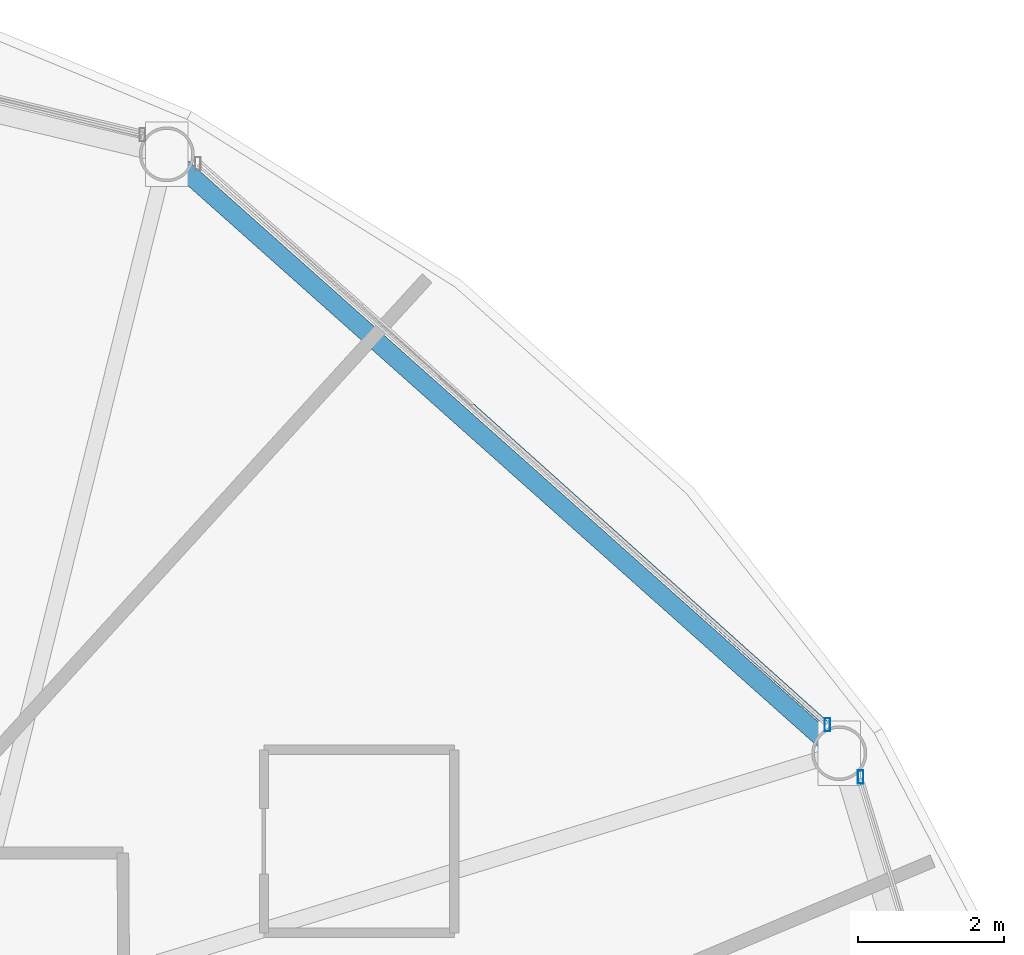
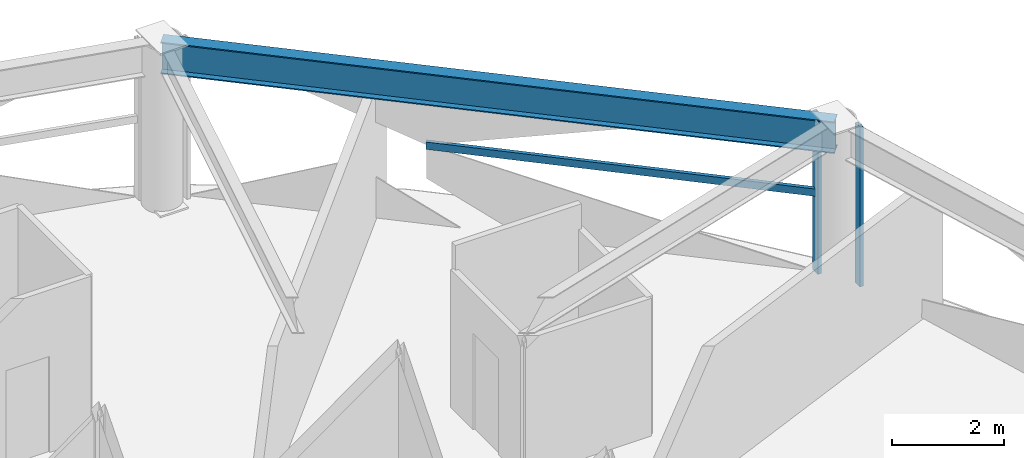
# One storey, part 20 of 30: 3 members, 1 beam, 2 elements without a shape of their own.
"""IFC4 building model written with IfcOpenShell, lengths in metres."""

from ifc_helpers import new_model, si_unit, direction, frame, origin, origin_2d, place, context, subcontext, project, spatial, hollow_rectangle, i_section, extrude, material, layer, layer_set, material_profile, profile_set, type_object, element, aggregate, save


model = new_model("IFC4")

# Units and contexts
model_context = context("Model", 3, precision=1e-05, world=origin(), true_north=direction((0.0, 1.0)))
body_context = subcontext(model_context, "Body", "Model", "MODEL_VIEW")
ifc_project = project(units=[si_unit("LENGTHUNIT", "METRE"), si_unit("AREAUNIT", "SQUARE_METRE"), si_unit("VOLUMEUNIT", "CUBIC_METRE"), si_unit("PLANEANGLEUNIT", "RADIAN"), si_unit("MASSUNIT", "GRAM", prefix="KILO")], contexts=[model_context])

# Site, building, storey
site_placement = place(None, origin())
site = spatial("IfcSite", under=ifc_project, at=site_placement, CompositionType="ELEMENT")
building_placement = place(site_placement, origin())
building = spatial("IfcBuilding", under=site, at=building_placement, Name="Vantalir Tower", CompositionType="ELEMENT")
storey_placement = place(building_placement, frame((0.0, 0.0, 130.949951171875)))
storey = spatial("IfcBuildingStorey", under=building, at=storey_placement, Name="L32", CompositionType="ELEMENT", Elevation=130.949951171875)

# Beam
ifc_material_1 = material(Name="Steel S460", Category="steel")
ifc_material_profile_1 = material_profile(ifc_material_1, i_section(OverallWidth=0.256103515625, OverallDepth=0.693115234375, WebThickness=0.014404296875, FlangeThickness=0.023681640625, at=origin_2d()), Name="Steel S460")
ifc_profile_set_1 = profile_set([ifc_material_profile_1], Name="Steel S460")
beam_type = type_object("IfcBeamType", Name="BM-RG-686x254", PredefinedType="USERDEFINED", material=ifc_profile_set_1)
beam_placement = place(storey_placement, frame((53.23095703125, 36.172119140625, 3.22412109375), z_axis=(-0.74678138086, 0.665069597261, 0.0), x_axis=(-0.665069597261, -0.74678138086, 0.0)))
element("IfcBeam", 1, at=beam_placement, inside=storey, type_object=beam_type, Name="L32 Circumferential Ring Girder 02", ObjectType="GIRDER", PredefinedType="USERDEFINED", context=body_context, shape_type="SweptSolid", body=[
    extrude(i_section(OverallWidth=0.256103515625, OverallDepth=0.693115234375, WebThickness=0.014404296875, FlangeThickness=0.023681640625, at=origin_2d()), origin(), (0.0, 0.0, 1.0), 12.2978515625),
])

# Curtain wall, member
ifc_material_2 = material(Name="Champagne-silver PVDF aluminium and double-silver Low-E glass", Category="aluminium")
ifc_layer = layer(ifc_material_2, 0.199951171875)
ifc_layer_set = layer_set([ifc_layer], Name="Champagne-silver PVDF aluminium and double-silver Low-E glass")
curtain_wall_type = type_object("IfcCurtainWallType", Name="CW-DIAMOND-Z2", PredefinedType="USERDEFINED", material=ifc_layer_set)
curtain_wall_1_placement = place(storey_placement, origin())
curtain_wall_1 = element("IfcCurtainWall", 2, at=curtain_wall_1_placement, inside=storey, type_object=curtain_wall_type, Name="L32 Quilted Pyramid-Diamond Curtain Wall S01", ObjectType="UNITISED CURTAIN WALL", PredefinedType="USERDEFINED")
ifc_material_3 = material(Name="Champagne-silver PVDF aluminium 6063-T6", Category="aluminium")
ifc_material_profile_2 = material_profile(ifc_material_3, hollow_rectangle(XDim=0.074951171875, YDim=0.179931640625, WallThickness=0.00390625, at=origin_2d()), Name="Champagne-silver PVDF aluminium 6063-T6")
ifc_profile_set_2 = profile_set([ifc_material_profile_2], Name="Champagne-silver PVDF aluminium 6063-T6")
member_type_1 = type_object("IfcMemberType", Name="CWM-180x75", PredefinedType="MULLION", material=ifc_profile_set_2)
member_1_placement = place(storey_placement, frame((53.52294921875, 35.845947265625, 0.045166015625), z_axis=(0.0, 0.0, 1.0), x_axis=(1.0, 0.0, 0.0)))
member_1 = element("IfcMember", 3, at=member_1_placement, type_object=member_type_1, Name="CW-L32-S01 Mullion 2", PredefinedType="MULLION", context=body_context, shape_type="SweptSolid", body=[
    extrude(hollow_rectangle(XDim=0.074951171875, YDim=0.179931640625, WallThickness=0.00390625, at=origin_2d()), origin(), (0.0, 0.0, 1.0), 3.47998046875),
])
aggregate(curtain_wall_1, [member_1])

# Curtain wall, members
curtain_wall_2_placement = place(storey_placement, origin())
curtain_wall_2 = element("IfcCurtainWall", 4, at=curtain_wall_2_placement, inside=storey, type_object=curtain_wall_type, Name="L32 Quilted Pyramid-Diamond Curtain Wall S02", ObjectType="UNITISED CURTAIN WALL", PredefinedType="USERDEFINED")
member_2_placement = place(storey_placement, frame((53.068115234375, 36.56005859375, 0.045166015625), z_axis=(0.0, 0.0, 1.0), x_axis=(1.0, 0.0, 0.0)))
member_2 = element("IfcMember", 5, at=member_2_placement, type_object=member_type_1, Name="CW-L32-S02 Mullion 1", PredefinedType="MULLION", context=body_context, shape_type="SweptSolid", body=[
    extrude(hollow_rectangle(XDim=0.074951171875, YDim=0.179931640625, WallThickness=0.00390625, at=origin_2d()), origin(), (0.0, 0.0, 1.0), 3.47998046875),
])
ifc_material_profile_3 = material_profile(ifc_material_3, hollow_rectangle(XDim=0.074951171875, YDim=0.159912109375, WallThickness=0.00390625, at=origin_2d()), Name="Champagne-silver PVDF aluminium 6063-T6")
ifc_profile_set_3 = profile_set([ifc_material_profile_3], Name="Champagne-silver PVDF aluminium 6063-T6")
member_type_2 = type_object("IfcMemberType", Name="CWT-160x75", PredefinedType="USERDEFINED", material=ifc_profile_set_3)
member_3_placement = place(storey_placement, frame((53.068115234375, 36.56005859375, 1.78515625), z_axis=(-0.744335548476, 0.667805803565, 0.0), x_axis=(-0.667805803565, -0.744335548476, 0.0)))
member_3 = element("IfcMember", 6, at=member_3_placement, type_object=member_type_2, Name="CW-L32-S02 Pyramid Fold Ridge Transom", ObjectType="TRANSOM", PredefinedType="USERDEFINED", context=body_context, shape_type="SweptSolid", body=[
    extrude(hollow_rectangle(XDim=0.074951171875, YDim=0.159912109375, WallThickness=0.00390625, at=origin_2d()), origin(), (0.0, 0.0, 1.0), 7.1396484375),
])
aggregate(curtain_wall_2, [member_2, member_3])

save(model, "model.ifc")
